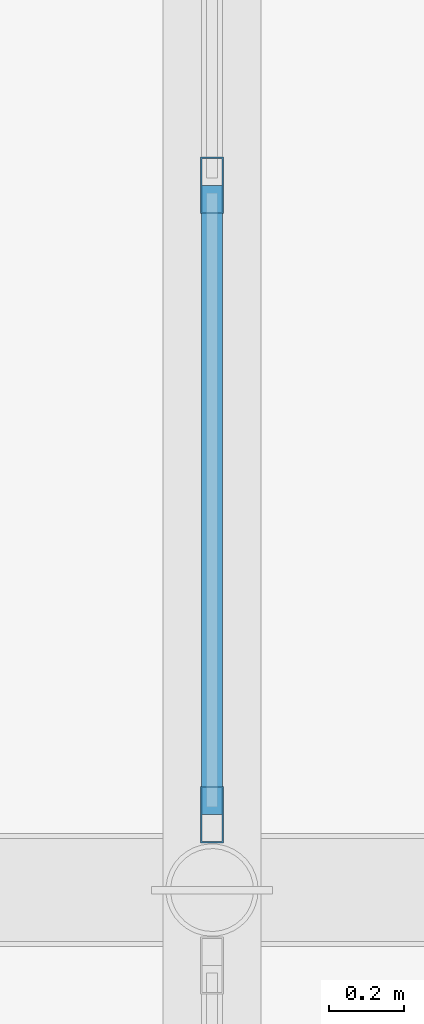
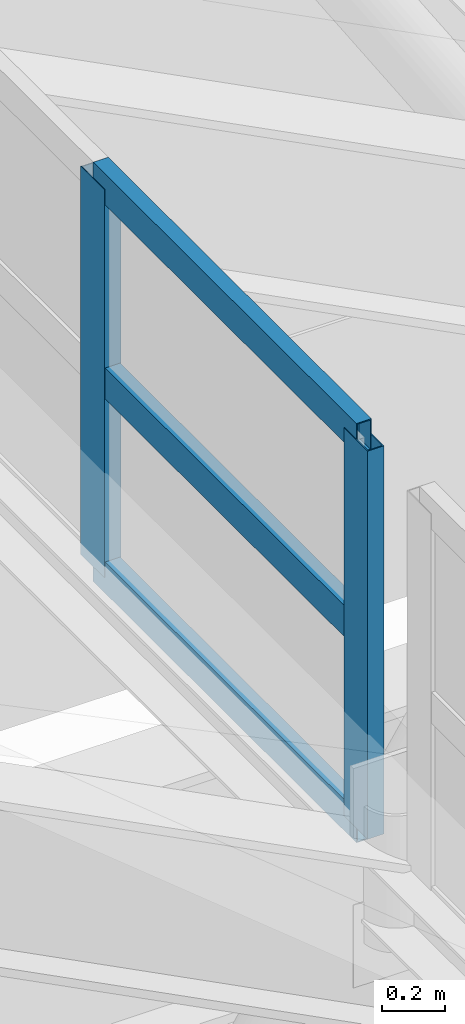
# One storey, part 45 of 84: 5 members, 1 element without a shape of its own.
"""IFC4 building model written with IfcOpenShell, lengths in metres."""

from ifc_helpers import new_model, si_unit, direction, frame, origin, origin_2d, place, context, subcontext, project, spatial, hollow_rectangle, extrude, material, layer, layer_set, material_profile, profile_set, type_object, element, aggregate, save


model = new_model("IFC4")

# Units and contexts
model_context = context("Model", 3, precision=1e-05, world=origin(), true_north=direction((0.0, 1.0)))
body_context = subcontext(model_context, "Body", "Model", "MODEL_VIEW")
ifc_project = project(units=[si_unit("LENGTHUNIT", "METRE"), si_unit("AREAUNIT", "SQUARE_METRE"), si_unit("VOLUMEUNIT", "CUBIC_METRE"), si_unit("PLANEANGLEUNIT", "RADIAN"), si_unit("MASSUNIT", "GRAM", prefix="KILO")], contexts=[model_context])

# Site, building, storey
site_placement = place(None, origin())
site = spatial("IfcSite", under=ifc_project, at=site_placement, CompositionType="ELEMENT")
building_placement = place(site_placement, origin())
building = spatial("IfcBuilding", under=site, at=building_placement, Name="Sundgate Opera House", CompositionType="ELEMENT")
storey_placement = place(building_placement, frame((0.0, 0.0, 30.60009765625)))
storey = spatial("IfcBuildingStorey", under=building, at=storey_placement, Name="L06", CompositionType="ELEMENT", Elevation=30.60009765625)

# Curtain wall, members
ifc_material_1 = material(Name="Anodized aluminium and low-iron glass", Category="aluminium")
ifc_layer = layer(ifc_material_1, 0.169921875)
ifc_layer_set = layer_set([ifc_layer], Name="Anodized aluminium and low-iron glass")
curtain_wall_type = type_object("IfcCurtainWallType", Name="CW-LANTERN-POLY", PredefinedType="NOTDEFINED", material=ifc_layer_set)
curtain_wall_placement = place(storey_placement, origin())
curtain_wall = element("IfcCurtainWall", 1, at=curtain_wall_placement, inside=storey, type_object=curtain_wall_type, Name="L06 Curtain Wall CW184", PredefinedType="NOTDEFINED")
ifc_material_2 = material(Name="Anodized aluminium EN AW-6063", Category="aluminium")
ifc_material_profile_1 = material_profile(ifc_material_2, hollow_rectangle(XDim=0.06005859375, YDim=0.14990234375, WallThickness=0.00390625, at=origin_2d()), Name="CWM 150x60x4")
ifc_profile_set_1 = profile_set([ifc_material_profile_1], Name="Anodized aluminium EN AW-6063")
member_type_1 = type_object("IfcMemberType", Name="CWM-ALU-150x60", PredefinedType="MULLION", material=ifc_profile_set_1)
member_1_placement = place(storey_placement, frame((56.5, 71.0, 16.199951171875), z_axis=(0.0, 0.0, 1.0), x_axis=(1.0, 0.0, 0.0)))
member_1 = element("IfcMember", 2, at=member_1_placement, type_object=member_type_1, Name="CW184 Mullion 1", PredefinedType="MULLION", context=body_context, shape_type="SweptSolid", body=[
    extrude(hollow_rectangle(XDim=0.06005859375, YDim=0.14990234375, WallThickness=0.00390625, at=origin_2d()), origin(), (0.0, 0.0, 1.0), 1.5),
])
member_2_placement = place(storey_placement, frame((56.5, 72.666748046875, 16.199951171875), z_axis=(0.0, 0.0, 1.0), x_axis=(1.0, 0.0, 0.0)))
member_2 = element("IfcMember", 3, at=member_2_placement, type_object=member_type_1, Name="CW184 Mullion 2", PredefinedType="MULLION", context=body_context, shape_type="SweptSolid", body=[
    extrude(hollow_rectangle(XDim=0.06005859375, YDim=0.14990234375, WallThickness=0.00390625, at=origin_2d()), origin(), (0.0, 0.0, 1.0), 1.5),
])
ifc_material_3 = material(Name="Anodized aluminium EN AW-6063", Category="aluminium")
ifc_material_profile_2 = material_profile(ifc_material_3, hollow_rectangle(XDim=0.054931640625, YDim=0.1201171875, WallThickness=0.00390625, at=origin_2d()), Name="CWT 120x55x4")
ifc_profile_set_2 = profile_set([ifc_material_profile_2], Name="Anodized aluminium EN AW-6063")
member_type_2 = type_object("IfcMemberType", Name="CWT-ALU-120x55", PredefinedType="USERDEFINED", material=ifc_profile_set_2)
member_3_placement = place(storey_placement, frame((56.5, 71.0, 16.199951171875), z_axis=(0.0, 1.0, 0.0), x_axis=(-1.0, 0.0, 0.0)))
member_3 = element("IfcMember", 4, at=member_3_placement, type_object=member_type_2, Name="CW184 Transom 1", ObjectType="TRANSOM", PredefinedType="USERDEFINED", context=body_context, shape_type="SweptSolid", body=[
    extrude(hollow_rectangle(XDim=0.054931640625, YDim=0.1201171875, WallThickness=0.00390625, at=origin_2d()), origin(), (0.0, 0.0, 1.0), 1.666748046875),
])
member_4_placement = place(storey_placement, frame((56.5, 71.0, 16.949951171875), z_axis=(0.0, 1.0, 0.0), x_axis=(-1.0, 0.0, 0.0)))
member_4 = element("IfcMember", 5, at=member_4_placement, type_object=member_type_2, Name="CW184 Transom 2", ObjectType="TRANSOM", PredefinedType="USERDEFINED", context=body_context, shape_type="SweptSolid", body=[
    extrude(hollow_rectangle(XDim=0.054931640625, YDim=0.1201171875, WallThickness=0.00390625, at=origin_2d()), origin(), (0.0, 0.0, 1.0), 1.666748046875),
])
member_5_placement = place(storey_placement, frame((56.5, 71.0, 17.699951171875), z_axis=(0.0, 1.0, 0.0), x_axis=(-1.0, 0.0, 0.0)))
member_5 = element("IfcMember", 6, at=member_5_placement, type_object=member_type_2, Name="CW184 Transom 3", ObjectType="TRANSOM", PredefinedType="USERDEFINED", context=body_context, shape_type="SweptSolid", body=[
    extrude(hollow_rectangle(XDim=0.054931640625, YDim=0.1201171875, WallThickness=0.00390625, at=origin_2d()), origin(), (0.0, 0.0, 1.0), 1.666748046875),
])
aggregate(curtain_wall, [member_1, member_2, member_3, member_4, member_5])

save(model, "model.ifc")
